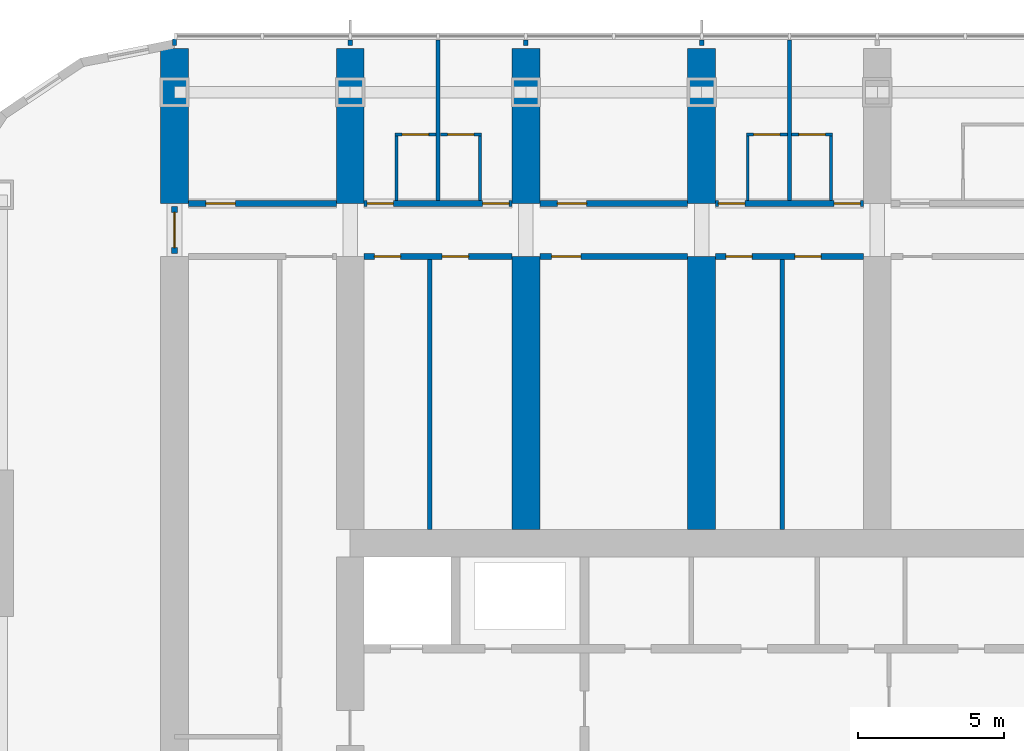
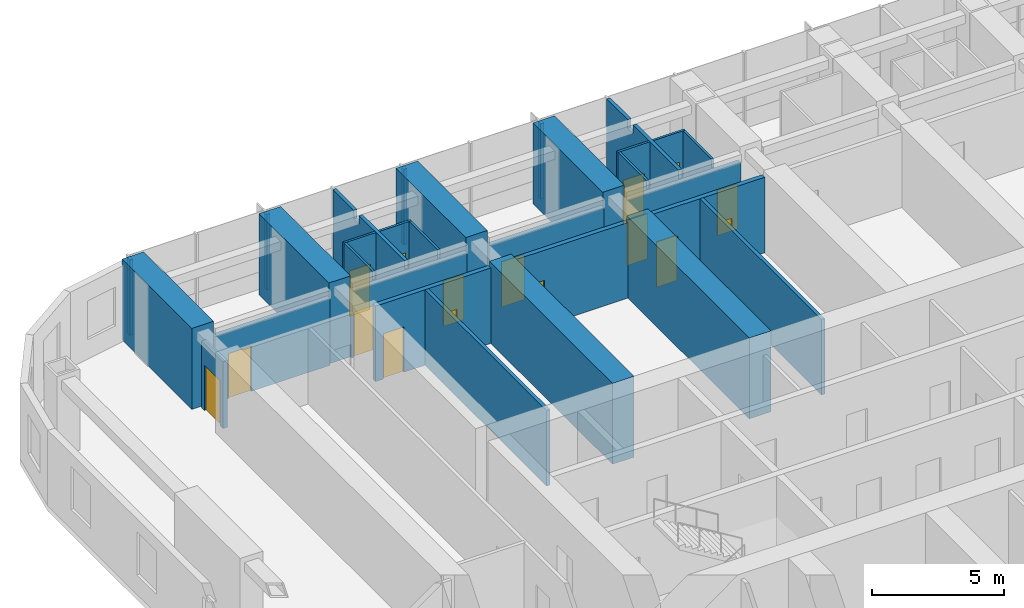
# One storey, part 13 of 21: 30 walls, 16 doors, 16 openings.
"""IFC4 building model written with IfcOpenShell, lengths in metres."""

from ifc_helpers import new_model, si_unit, direction, frame, frame_2d, origin, place, context, subcontext, project, spatial, polyline, rectangle, outline, extrude, material, layer, layer_set, type_object, element, fill, save


model = new_model("IFC4")

# Units and contexts
model_context = context("Model", 3, precision=1e-05, world=origin(), true_north=direction((0.0, 1.0)))
body_context = subcontext(model_context, "Body", "Model", "MODEL_VIEW")
ifc_project = project(units=[si_unit("LENGTHUNIT", "METRE"), si_unit("AREAUNIT", "SQUARE_METRE"), si_unit("VOLUMEUNIT", "CUBIC_METRE"), si_unit("PLANEANGLEUNIT", "RADIAN"), si_unit("MASSUNIT", "GRAM", prefix="KILO")], contexts=[model_context])

# Site, building, storey
site_placement = place(None, origin())
site = spatial("IfcSite", under=ifc_project, at=site_placement, CompositionType="ELEMENT")
building_placement = place(site_placement, origin())
building = spatial("IfcBuilding", under=site, at=building_placement, Name="Orbita Commons", CompositionType="ELEMENT")
storey_placement = place(building_placement, frame((0.0, 0.0, 91.89990234375)))
storey = spatial("IfcBuildingStorey", under=building, at=storey_placement, Name="L22", CompositionType="ELEMENT", Elevation=91.89990234375)

# Wall, opening, door
ifc_material_1 = material(Name="Concrete blockwork", Category="masonry")
ifc_layer_1 = layer(ifc_material_1, 0.199951171875)
ifc_layer_set_1 = layer_set([ifc_layer_1], Name="Concrete blockwork")
wall_type_1 = type_object("IfcWallType", Name="Corridor wall 200 blockwork", PredefinedType="SOLIDWALL", material=ifc_layer_set_1)
wall_1_placement = place(storey_placement, frame((12.47509765625, 49.800048828125, 0.0), z_axis=(0.0, 0.0, 1.0), x_axis=(1.0, 0.0, 0.0)))
wall_1 = element("IfcWall", 1, at=wall_1_placement, inside=storey, type_object=wall_type_1, Name="Corridor wall 200 blockwork L22", PredefinedType="SOLIDWALL", context=body_context, shape_type="SweptSolid", body=[
    extrude(outline(polyline([(0.0, 0.0), (5.0498046875, 0.0), (5.050048828125, 3.10009765625), (0.0, 3.10009765625), (0.0, 0.0)])), frame((0.0, 0.10009765625, 0.0), z_axis=(0.0, -1.0, 0.0), x_axis=(1.0, 0.0, 0.0)), (0.0, 0.0, 1.0), 0.199951171875),
])
opening_1_placement = place(wall_1_placement, frame((0.60009765625, 0.0, 0.0)))
opening_1 = element("IfcOpeningElement", 2, at=opening_1_placement, cuts=wall_1, Name="Opening D06", PredefinedType="OPENING", context=body_context, shape_type="SweptSolid", body=[
    extrude(rectangle(XDim=1.0, YDim=2.10009765625, at=frame_2d((0.5, 1.050048828125))), frame((0.0, 0.10986328125, 0.0), z_axis=(0.0, -1.0, 0.0), x_axis=(1.0, 0.0, 0.0)), (0.0, 0.0, 1.0), 0.219970703125),
])
ifc_material_2 = material(Name="Steel-faced fire door leaf", Category="steel")
door_type_1 = type_object("IfcDoorType", Name="Corridor door 20 min 1000x2100", OperationType="SINGLE_SWING_LEFT", PredefinedType="DOOR", material=ifc_material_2)
door_1_placement = place(opening_1_placement, origin())
door_1 = element("IfcDoor", 3, at=door_1_placement, inside=storey, type_object=door_type_1, Name="Sea-view lounge L22-N00 door", OperationType="SINGLE_SWING_LEFT", OverallHeight=2.10009765625, OverallWidth=1.0, PredefinedType="DOOR", context=body_context, shape_type="SweptSolid", body=[
    extrude(rectangle(XDim=1.0, YDim=2.10009765625, at=frame_2d((0.5, 1.050048828125))), frame((0.0, 0.02490234375, 0.0), z_axis=(0.0, -1.0, 0.0), x_axis=(1.0, 0.0, 0.0)), (0.0, 0.0, 1.0), 0.050048828125),
])
fill(opening_1, door_1)

# Wall, openings, doors
wall_2_placement = place(storey_placement, frame((18.47509765625, 49.800048828125, 0.0), z_axis=(0.0, 0.0, 1.0), x_axis=(1.0, 0.0, 0.0)))
wall_2 = element("IfcWall", 4, at=wall_2_placement, inside=storey, type_object=wall_type_1, Name="Corridor wall 200 blockwork L22", PredefinedType="SOLIDWALL", context=body_context, shape_type="SweptSolid", body=[
    extrude(outline(polyline([(0.0, 0.0), (5.0498046875, 0.0), (5.050048828125, 3.10009765625), (0.0, 3.10009765625), (0.0, 0.0)])), frame((0.0, 0.10009765625, 0.0), z_axis=(0.0, -1.0, 0.0), x_axis=(1.0, 0.0, 0.0)), (0.0, 0.0, 1.0), 0.199951171875),
])
opening_2_placement = place(wall_2_placement, frame((0.10009765625, 0.0, 0.0)))
opening_2 = element("IfcOpeningElement", 5, at=opening_2_placement, cuts=wall_2, Name="Opening D11", PredefinedType="OPENING", context=body_context, shape_type="SweptSolid", body=[
    extrude(rectangle(XDim=0.89990234375, YDim=2.10009765625, at=frame_2d((0.449951171875, 1.050048828125))), frame((0.0, 0.10986328125, 0.0), z_axis=(0.0, -1.0, 0.0), x_axis=(1.0, 0.0, 0.0)), (0.0, 0.0, 1.0), 0.219970703125),
])
opening_3_placement = place(wall_2_placement, frame((4.050048828125, 0.0, 0.0)))
opening_3 = element("IfcOpeningElement", 6, at=opening_3_placement, cuts=wall_2, Name="Opening D11", PredefinedType="OPENING", context=body_context, shape_type="SweptSolid", body=[
    extrude(rectangle(XDim=0.89990234375, YDim=2.10009765625, at=frame_2d((0.449951171875, 1.050048828125))), frame((0.0, 0.10986328125, 0.0), z_axis=(0.0, -1.0, 0.0), x_axis=(1.0, 0.0, 0.0)), (0.0, 0.0, 1.0), 0.219970703125),
])
ifc_material_3 = material(Name="Steel-faced fire door leaf", Category="steel")
door_type_2 = type_object("IfcDoorType", Name="Corridor door 20 min 900x2100", OperationType="SINGLE_SWING_LEFT", PredefinedType="DOOR", material=ifc_material_3)
door_2_placement = place(opening_2_placement, origin())
door_2 = element("IfcDoor", 7, at=door_2_placement, inside=storey, type_object=door_type_2, Name="Cluster bedroom L22-N02 door", OperationType="SINGLE_SWING_LEFT", OverallHeight=2.10009765625, OverallWidth=0.89990234375, PredefinedType="DOOR", context=body_context, shape_type="SweptSolid", body=[
    extrude(rectangle(XDim=0.89990234375, YDim=2.10009765625, at=frame_2d((0.449951171875, 1.050048828125))), frame((0.0, 0.02490234375, 0.0), z_axis=(0.0, -1.0, 0.0), x_axis=(1.0, 0.0, 0.0)), (0.0, 0.0, 1.0), 0.050048828125),
])
fill(opening_2, door_2)
door_3_placement = place(opening_3_placement, origin())
door_3 = element("IfcDoor", 8, at=door_3_placement, inside=storey, type_object=door_type_2, Name="Cluster bedroom L22-N03 door", OperationType="SINGLE_SWING_LEFT", OverallHeight=2.10009765625, OverallWidth=0.89990234375, PredefinedType="DOOR", context=body_context, shape_type="SweptSolid", body=[
    extrude(rectangle(XDim=0.89990234375, YDim=2.10009765625, at=frame_2d((0.449951171875, 1.050048828125))), frame((0.0, 0.02490234375, 0.0), z_axis=(0.0, -1.0, 0.0), x_axis=(1.0, 0.0, 0.0)), (0.0, 0.0, 1.0), 0.050048828125),
])
fill(opening_3, door_3)

# Wall, opening, door
wall_3_placement = place(storey_placement, frame((24.47509765625, 49.800048828125, 0.0), z_axis=(0.0, 0.0, 1.0), x_axis=(1.0, 0.0, 0.0)))
wall_3 = element("IfcWall", 9, at=wall_3_placement, inside=storey, type_object=wall_type_1, Name="Corridor wall 200 blockwork L22", PredefinedType="SOLIDWALL", context=body_context, shape_type="SweptSolid", body=[
    extrude(outline(polyline([(0.0, 0.0), (5.0498046875, 0.0), (5.050048828125, 3.10009765625), (0.0, 3.10009765625), (0.0, 0.0)])), frame((0.0, 0.10009765625, 0.0), z_axis=(0.0, -1.0, 0.0), x_axis=(1.0, 0.0, 0.0)), (0.0, 0.0, 1.0), 0.199951171875),
])
opening_4_placement = place(wall_3_placement, frame((0.60009765625, 0.0, 0.0)))
opening_4 = element("IfcOpeningElement", 10, at=opening_4_placement, cuts=wall_3, Name="Opening D06", PredefinedType="OPENING", context=body_context, shape_type="SweptSolid", body=[
    extrude(rectangle(XDim=1.0, YDim=2.10009765625, at=frame_2d((0.5, 1.050048828125))), frame((0.0, 0.10986328125, 0.0), z_axis=(0.0, -1.0, 0.0), x_axis=(1.0, 0.0, 0.0)), (0.0, 0.0, 1.0), 0.219970703125),
])
door_4_placement = place(opening_4_placement, origin())
door_4 = element("IfcDoor", 11, at=door_4_placement, inside=storey, type_object=door_type_1, Name="Sea-view lounge L22-N04 door", OperationType="SINGLE_SWING_LEFT", OverallHeight=2.10009765625, OverallWidth=1.0, PredefinedType="DOOR", context=body_context, shape_type="SweptSolid", body=[
    extrude(rectangle(XDim=1.0, YDim=2.10009765625, at=frame_2d((0.5, 1.050048828125))), frame((0.0, 0.02490234375, 0.0), z_axis=(0.0, -1.0, 0.0), x_axis=(1.0, 0.0, 0.0)), (0.0, 0.0, 1.0), 0.050048828125),
])
fill(opening_4, door_4)

# Wall, openings, doors
wall_4_placement = place(storey_placement, frame((30.47509765625, 49.800048828125, 0.0), z_axis=(0.0, 0.0, 1.0), x_axis=(1.0, 0.0, 0.0)))
wall_4 = element("IfcWall", 12, at=wall_4_placement, inside=storey, type_object=wall_type_1, Name="Corridor wall 200 blockwork L22", PredefinedType="SOLIDWALL", context=body_context, shape_type="SweptSolid", body=[
    extrude(outline(polyline([(0.0, 0.0), (5.0498046875, 0.0), (5.050048828125, 3.10009765625), (0.0, 3.10009765625), (0.0, 0.0)])), frame((0.0, 0.10009765625, 0.0), z_axis=(0.0, -1.0, 0.0), x_axis=(1.0, 0.0, 0.0)), (0.0, 0.0, 1.0), 0.199951171875),
])
opening_5_placement = place(wall_4_placement, frame((0.10009765625, 0.0, 0.0)))
opening_5 = element("IfcOpeningElement", 13, at=opening_5_placement, cuts=wall_4, Name="Opening D11", PredefinedType="OPENING", context=body_context, shape_type="SweptSolid", body=[
    extrude(rectangle(XDim=0.89990234375, YDim=2.10009765625, at=frame_2d((0.449951171875, 1.050048828125))), frame((0.0, 0.10986328125, 0.0), z_axis=(0.0, -1.0, 0.0), x_axis=(1.0, 0.0, 0.0)), (0.0, 0.0, 1.0), 0.219970703125),
])
opening_6_placement = place(wall_4_placement, frame((4.050048828125, 0.0, 0.0)))
opening_6 = element("IfcOpeningElement", 14, at=opening_6_placement, cuts=wall_4, Name="Opening D11", PredefinedType="OPENING", context=body_context, shape_type="SweptSolid", body=[
    extrude(rectangle(XDim=0.89990234375, YDim=2.10009765625, at=frame_2d((0.449951171875, 1.050048828125))), frame((0.0, 0.10986328125, 0.0), z_axis=(0.0, -1.0, 0.0), x_axis=(1.0, 0.0, 0.0)), (0.0, 0.0, 1.0), 0.219970703125),
])
door_5_placement = place(opening_5_placement, origin())
door_5 = element("IfcDoor", 15, at=door_5_placement, inside=storey, type_object=door_type_2, Name="Cluster bedroom L22-N06 door", OperationType="SINGLE_SWING_LEFT", OverallHeight=2.10009765625, OverallWidth=0.89990234375, PredefinedType="DOOR", context=body_context, shape_type="SweptSolid", body=[
    extrude(rectangle(XDim=0.89990234375, YDim=2.10009765625, at=frame_2d((0.449951171875, 1.050048828125))), frame((0.0, 0.02490234375, 0.0), z_axis=(0.0, -1.0, 0.0), x_axis=(1.0, 0.0, 0.0)), (0.0, 0.0, 1.0), 0.050048828125),
])
fill(opening_5, door_5)
door_6_placement = place(opening_6_placement, origin())
door_6 = element("IfcDoor", 16, at=door_6_placement, inside=storey, type_object=door_type_2, Name="Cluster bedroom L22-N07 door", OperationType="SINGLE_SWING_LEFT", OverallHeight=2.10009765625, OverallWidth=0.89990234375, PredefinedType="DOOR", context=body_context, shape_type="SweptSolid", body=[
    extrude(rectangle(XDim=0.89990234375, YDim=2.10009765625, at=frame_2d((0.449951171875, 1.050048828125))), frame((0.0, 0.02490234375, 0.0), z_axis=(0.0, -1.0, 0.0), x_axis=(1.0, 0.0, 0.0)), (0.0, 0.0, 1.0), 0.050048828125),
])
fill(opening_6, door_6)

# Wall, opening, door
wall_5_placement = place(storey_placement, frame((12.0, 48.10009765625, 0.0), z_axis=(0.0, 0.0, 1.0), x_axis=(0.0, 1.0, 0.0)))
wall_5 = element("IfcWall", 17, at=wall_5_placement, inside=storey, type_object=wall_type_1, Name="Corridor wall 200 blockwork L22", PredefinedType="SOLIDWALL", context=body_context, shape_type="SweptSolid", body=[
    extrude(outline(polyline([(0.0, 0.0), (1.599853515625, 0.0), (1.60009765625, 3.10009765625), (0.0, 3.10009765625), (0.0, 0.0)])), frame((0.0, 0.10009765625, 0.0), z_axis=(0.0, -1.0, 0.0), x_axis=(1.0, 0.0, 0.0)), (0.0, 0.0, 1.0), 0.199951171875),
])
opening_7_placement = place(wall_5_placement, frame((0.199951171875, 0.0, 0.0)))
opening_7 = element("IfcOpeningElement", 18, at=opening_7_placement, cuts=wall_5, Name="Opening D12", PredefinedType="OPENING", context=body_context, shape_type="SweptSolid", body=[
    extrude(rectangle(XDim=1.199951171875, YDim=2.10009765625, at=frame_2d((0.60009765625, 1.050048828125))), frame((0.0, 0.10986328125, 0.0), z_axis=(0.0, -1.0, 0.0), x_axis=(1.0, 0.0, 0.0)), (0.0, 0.0, 1.0), 0.219970703125),
])
ifc_material_4 = material(Name="Steel-faced fire door leaf", Category="steel")
door_type_3 = type_object("IfcDoorType", Name="Double corridor door 20 min 1200x2100", OperationType="DOUBLE_DOOR_SINGLE_SWING", PredefinedType="DOOR", material=ifc_material_4)
door_7_placement = place(opening_7_placement, origin())
door_7 = element("IfcDoor", 19, at=door_7_placement, inside=storey, type_object=door_type_3, Name="Lounge doors", OperationType="DOUBLE_DOOR_SINGLE_SWING", OverallHeight=2.10009765625, OverallWidth=1.199951171875, PredefinedType="DOOR", context=body_context, shape_type="SweptSolid", body=[
    extrude(rectangle(XDim=1.199951171875, YDim=2.10009765625, at=frame_2d((0.60009765625, 1.050048828125))), frame((0.0, 0.02490234375, 0.0), z_axis=(0.0, -1.0, 0.0), x_axis=(1.0, 0.0, 0.0)), (0.0, 0.0, 1.0), 0.050048828125),
])
fill(opening_7, door_7)

# Wall, openings, doors
ifc_material_5 = material(Name="Hollow concrete block 200", Category="concrete")
ifc_layer_2 = layer(ifc_material_5, 0.199951171875)
ifc_layer_set_2 = layer_set([ifc_layer_2], Name="Hollow concrete block 200")
wall_type_2 = type_object("IfcWallType", Name="Corridor wall 200 hollow concrete block", PredefinedType="SOLIDWALL", material=ifc_layer_set_2)
wall_6_placement = place(storey_placement, frame((18.47509765625, 48.0, 0.0), z_axis=(0.0, 0.0, 1.0), x_axis=(1.0, 0.0, 0.0)))
wall_6 = element("IfcWall", 20, at=wall_6_placement, inside=storey, type_object=wall_type_2, Name="Corridor wall 200 hollow concrete block L22", PredefinedType="SOLIDWALL", context=body_context, shape_type="SweptSolid", body=[
    extrude(rectangle(XDim=5.0498046875, YDim=0.199951171875, at=frame_2d((2.52490234375, 0.0))), origin(), (0.0, 0.0, 1.0), 3.5),
])
opening_8_placement = place(wall_6_placement, frame((0.35009765625, 0.0, 0.0)))
opening_8 = element("IfcOpeningElement", 21, at=opening_8_placement, cuts=wall_6, Name="Opening D11", PredefinedType="OPENING", context=body_context, shape_type="SweptSolid", body=[
    extrude(rectangle(XDim=0.89990234375, YDim=2.10009765625, at=frame_2d((0.449951171875, 1.050048828125))), frame((0.0, 0.10986328125, 0.0), z_axis=(0.0, -1.0, 0.0), x_axis=(1.0, 0.0, 0.0)), (0.0, 0.0, 1.0), 0.219970703125),
])
opening_9_placement = place(wall_6_placement, frame((2.6650390625, 0.0, 0.0)))
opening_9 = element("IfcOpeningElement", 22, at=opening_9_placement, cuts=wall_6, Name="Opening D11", PredefinedType="OPENING", context=body_context, shape_type="SweptSolid", body=[
    extrude(rectangle(XDim=0.89990234375, YDim=2.10009765625, at=frame_2d((0.449951171875, 1.050048828125))), frame((0.0, 0.10986328125, 0.0), z_axis=(0.0, -1.0, 0.0), x_axis=(1.0, 0.0, 0.0)), (0.0, 0.0, 1.0), 0.219970703125),
])
door_8_placement = place(opening_8_placement, origin())
door_8 = element("IfcDoor", 23, at=door_8_placement, inside=storey, type_object=door_type_2, Name="Riser access cupboard L22-BDN18n door", OperationType="SINGLE_SWING_LEFT", OverallHeight=2.10009765625, OverallWidth=0.89990234375, PredefinedType="DOOR", context=body_context, shape_type="SweptSolid", body=[
    extrude(rectangle(XDim=0.89990234375, YDim=2.10009765625, at=frame_2d((0.449951171875, 1.050048828125))), frame((0.0, 0.02490234375, 0.0), z_axis=(0.0, -1.0, 0.0), x_axis=(1.0, 0.0, 0.0)), (0.0, 0.0, 1.0), 0.050048828125),
])
fill(opening_8, door_8)
door_9_placement = place(opening_9_placement, origin())
door_9 = element("IfcDoor", 24, at=door_9_placement, inside=storey, type_object=door_type_2, Name="Linen store L22-BDN18 door", OperationType="SINGLE_SWING_LEFT", OverallHeight=2.10009765625, OverallWidth=0.89990234375, PredefinedType="DOOR", context=body_context, shape_type="SweptSolid", body=[
    extrude(rectangle(XDim=0.89990234375, YDim=2.10009765625, at=frame_2d((0.449951171875, 1.050048828125))), frame((0.0, 0.02490234375, 0.0), z_axis=(0.0, -1.0, 0.0), x_axis=(1.0, 0.0, 0.0)), (0.0, 0.0, 1.0), 0.050048828125),
])
fill(opening_9, door_9)

# Wall, opening, door
wall_7_placement = place(storey_placement, frame((24.47509765625, 48.0, 0.0), z_axis=(0.0, 0.0, 1.0), x_axis=(1.0, 0.0, 0.0)))
wall_7 = element("IfcWall", 25, at=wall_7_placement, inside=storey, type_object=wall_type_2, Name="Corridor wall 200 hollow concrete block L22", PredefinedType="SOLIDWALL", context=body_context, shape_type="SweptSolid", body=[
    extrude(rectangle(XDim=5.0498046875, YDim=0.199951171875, at=frame_2d((2.52490234375, 0.0))), origin(), (0.0, 0.0, 1.0), 3.5),
])
opening_10_placement = place(wall_7_placement, frame((0.39990234375, 0.0, 0.0)))
opening_10 = element("IfcOpeningElement", 26, at=opening_10_placement, cuts=wall_7, Name="Opening D06", PredefinedType="OPENING", context=body_context, shape_type="SweptSolid", body=[
    extrude(rectangle(XDim=1.0, YDim=2.10009765625, at=frame_2d((0.5, 1.050048828125))), frame((0.0, 0.10986328125, 0.0), z_axis=(0.0, -1.0, 0.0), x_axis=(1.0, 0.0, 0.0)), (0.0, 0.0, 1.0), 0.219970703125),
])
door_10_placement = place(opening_10_placement, origin())
door_10 = element("IfcDoor", 27, at=door_10_placement, inside=storey, type_object=door_type_1, Name="Cluster pantry L22-BDN24 door", OperationType="SINGLE_SWING_LEFT", OverallHeight=2.10009765625, OverallWidth=1.0, PredefinedType="DOOR", context=body_context, shape_type="SweptSolid", body=[
    extrude(rectangle(XDim=1.0, YDim=2.10009765625, at=frame_2d((0.5, 1.050048828125))), frame((0.0, 0.02490234375, 0.0), z_axis=(0.0, -1.0, 0.0), x_axis=(1.0, 0.0, 0.0)), (0.0, 0.0, 1.0), 0.050048828125),
])
fill(opening_10, door_10)

# Wall, openings, doors
wall_8_placement = place(storey_placement, frame((30.47509765625, 48.0, 0.0), z_axis=(0.0, 0.0, 1.0), x_axis=(1.0, 0.0, 0.0)))
wall_8 = element("IfcWall", 28, at=wall_8_placement, inside=storey, type_object=wall_type_2, Name="Corridor wall 200 hollow concrete block L22", PredefinedType="SOLIDWALL", context=body_context, shape_type="SweptSolid", body=[
    extrude(rectangle(XDim=5.0498046875, YDim=0.199951171875, at=frame_2d((2.52490234375, 0.0))), origin(), (0.0, 0.0, 1.0), 3.5),
])
opening_11_placement = place(wall_8_placement, frame((0.35009765625, 0.0, 0.0)))
opening_11 = element("IfcOpeningElement", 29, at=opening_11_placement, cuts=wall_8, Name="Opening D11", PredefinedType="OPENING", context=body_context, shape_type="SweptSolid", body=[
    extrude(rectangle(XDim=0.89990234375, YDim=2.10009765625, at=frame_2d((0.449951171875, 1.050048828125))), frame((0.0, 0.10986328125, 0.0), z_axis=(0.0, -1.0, 0.0), x_axis=(1.0, 0.0, 0.0)), (0.0, 0.0, 1.0), 0.219970703125),
])
opening_12_placement = place(wall_8_placement, frame((2.705078125, 0.0, 0.0)))
opening_12 = element("IfcOpeningElement", 30, at=opening_12_placement, cuts=wall_8, Name="Opening D11", PredefinedType="OPENING", context=body_context, shape_type="SweptSolid", body=[
    extrude(rectangle(XDim=0.89990234375, YDim=2.10009765625, at=frame_2d((0.449951171875, 1.050048828125))), frame((0.0, 0.10986328125, 0.0), z_axis=(0.0, -1.0, 0.0), x_axis=(1.0, 0.0, 0.0)), (0.0, 0.0, 1.0), 0.219970703125),
])
door_11_placement = place(opening_11_placement, origin())
door_11 = element("IfcDoor", 31, at=door_11_placement, inside=storey, type_object=door_type_2, Name="Water heater cupboard L22-BDN30n door", OperationType="SINGLE_SWING_LEFT", OverallHeight=2.10009765625, OverallWidth=0.89990234375, PredefinedType="DOOR", context=body_context, shape_type="SweptSolid", body=[
    extrude(rectangle(XDim=0.89990234375, YDim=2.10009765625, at=frame_2d((0.449951171875, 1.050048828125))), frame((0.0, 0.02490234375, 0.0), z_axis=(0.0, -1.0, 0.0), x_axis=(1.0, 0.0, 0.0)), (0.0, 0.0, 1.0), 0.050048828125),
])
fill(opening_11, door_11)
door_12_placement = place(opening_12_placement, origin())
door_12 = element("IfcDoor", 32, at=door_12_placement, inside=storey, type_object=door_type_2, Name="Bulk and luggage store L22-BDN30 door", OperationType="SINGLE_SWING_LEFT", OverallHeight=2.10009765625, OverallWidth=0.89990234375, PredefinedType="DOOR", context=body_context, shape_type="SweptSolid", body=[
    extrude(rectangle(XDim=0.89990234375, YDim=2.10009765625, at=frame_2d((0.449951171875, 1.050048828125))), frame((0.0, 0.02490234375, 0.0), z_axis=(0.0, -1.0, 0.0), x_axis=(1.0, 0.0, 0.0)), (0.0, 0.0, 1.0), 0.050048828125),
])
fill(opening_12, door_12)

# Walls
ifc_material_6 = material(Name="Concrete C50/60", Category="concrete")
ifc_layer_3 = layer(ifc_material_6, 0.949951171875)
ifc_layer_set_3 = layer_set([ifc_layer_3], Name="Concrete C50/60")
wall_type_3 = type_object("IfcWallType", Name="Cross wall 950 C50/60", PredefinedType="SHEAR", material=ifc_layer_set_3)
for number, where, z_axis, x_axis, name in (
    (33, (12.0, 49.800048828125, 0.0), (0.0, 0.0, 1.0), (0.0, 1.0, 0.0), "Cross wall 3 north outer L22"),
    (34, (18.0, 49.800048828125, 0.0), (0.0, 0.0, 1.0), (0.0, 1.0, 0.0), "Cross wall 4 north outer L22"),
    (35, (24.0, 49.800048828125, 0.0), (0.0, 0.0, 1.0), (0.0, 1.0, 0.0), "Cross wall 5 north outer L22"),
):
    element("IfcWall", number, at=place(storey_placement, frame(where, z_axis=z_axis, x_axis=x_axis)), inside=storey, type_object=wall_type_3, Name=name, PredefinedType="SHEAR", context=body_context, shape_type="SweptSolid", body=[
        extrude(rectangle(XDim=5.300048828125, YDim=0.949951171875, at=frame_2d((2.64990234375, 0.0))), origin(), (0.0, 0.0, 1.0), 3.75),
    ])
wall_9_placement = place(storey_placement, frame((24.0, 38.675048828125, 0.0), z_axis=(0.0, 0.0, 1.0), x_axis=(0.0, 1.0, 0.0)))
element("IfcWall", 36, at=wall_9_placement, inside=storey, type_object=wall_type_3, Name="Cross wall 5 north inner L22", PredefinedType="SHEAR", context=body_context, shape_type="SweptSolid", body=[
    extrude(rectangle(XDim=9.324951171875, YDim=0.949951171875, at=frame_2d((4.66259765625, 0.0))), origin(), (0.0, 0.0, 1.0), 3.75),
])
wall_10_placement = place(storey_placement, frame((30.0, 49.800048828125, 0.0), z_axis=(0.0, 0.0, 1.0), x_axis=(0.0, 1.0, 0.0)))
element("IfcWall", 37, at=wall_10_placement, inside=storey, type_object=wall_type_3, Name="Cross wall 6 north outer L22", PredefinedType="SHEAR", context=body_context, shape_type="SweptSolid", body=[
    extrude(rectangle(XDim=5.300048828125, YDim=0.949951171875, at=frame_2d((2.64990234375, 0.0))), origin(), (0.0, 0.0, 1.0), 3.75),
])
wall_11_placement = place(storey_placement, frame((30.0, 38.675048828125, 0.0), z_axis=(0.0, 0.0, 1.0), x_axis=(0.0, 1.0, 0.0)))
element("IfcWall", 38, at=wall_11_placement, inside=storey, type_object=wall_type_3, Name="Cross wall 6 north inner L22", PredefinedType="SHEAR", context=body_context, shape_type="SweptSolid", body=[
    extrude(rectangle(XDim=9.324951171875, YDim=0.949951171875, at=frame_2d((4.66259765625, 0.0))), origin(), (0.0, 0.0, 1.0), 3.75),
])

# Wall, opening, door
ifc_material_7 = material(Name="Moisture-resistant plasterboard on steel studs", Category="steel")
ifc_layer_4 = layer(ifc_material_7, 0.10009765625)
ifc_layer_set_4 = layer_set([ifc_layer_4], Name="Moisture-resistant plasterboard on steel studs")
wall_type_4 = type_object("IfcWallType", Name="En-suite partition 100", PredefinedType="PARTITIONING", material=ifc_layer_set_4)
wall_12_placement = place(storey_placement, frame((19.52490234375, 52.1591796875, 0.0), z_axis=(0.0, 0.0, 1.0), x_axis=(1.0, 0.0, 0.0)))
wall_12 = element("IfcWall", 39, at=wall_12_placement, inside=storey, type_object=wall_type_4, Name="En-suite partition 100 L22", PredefinedType="PARTITIONING", context=body_context, shape_type="SweptSolid", body=[
    extrude(rectangle(XDim=1.400146484375, YDim=0.10009765625, at=frame_2d((0.7001953125, 0.0))), origin(), (0.0, 0.0, 1.0), 3.5),
])
opening_13_placement = place(wall_12_placement, frame((0.25, 0.0, 0.0)))
opening_13 = element("IfcOpeningElement", 40, at=opening_13_placement, cuts=wall_12, Name="Opening D09", PredefinedType="OPENING", context=body_context, shape_type="SweptSolid", body=[
    extrude(rectangle(XDim=0.89990234375, YDim=2.10009765625, at=frame_2d((0.449951171875, 1.050048828125))), frame((0.0, 0.06005859375, 0.0), z_axis=(0.0, -1.0, 0.0), x_axis=(1.0, 0.0, 0.0)), (0.0, 0.0, 1.0), 0.1201171875),
])
ifc_material_8 = material(Name="Laminated timber door leaf", Category="wood")
door_type_4 = type_object("IfcDoorType", Name="En-suite door 900x2100", OperationType="SINGLE_SWING_RIGHT", PredefinedType="DOOR", material=ifc_material_8)
door_13_placement = place(opening_13_placement, origin())
door_13 = element("IfcDoor", 41, at=door_13_placement, inside=storey, type_object=door_type_4, Name="En-suite L22-N02 door", OperationType="SINGLE_SWING_RIGHT", OverallHeight=2.10009765625, OverallWidth=0.89990234375, PredefinedType="DOOR", context=body_context, shape_type="SweptSolid", body=[
    extrude(rectangle(XDim=0.89990234375, YDim=2.10009765625, at=frame_2d((0.449951171875, 1.050048828125))), frame((0.0, 0.02490234375, 0.0), z_axis=(0.0, -1.0, 0.0), x_axis=(1.0, 0.0, 0.0)), (0.0, 0.0, 1.0), 0.050048828125),
])
fill(opening_13, door_13)

# Wall
wall_13_placement = place(storey_placement, frame((19.574951171875, 52.109375, 0.0), z_axis=(0.0, 0.0, 1.0), x_axis=(0.0, -1.0, 0.0)))
element("IfcWall", 42, at=wall_13_placement, inside=storey, type_object=wall_type_4, Name="En-suite partition 100 L22", PredefinedType="PARTITIONING", context=body_context, shape_type="SweptSolid", body=[
    extrude(outline(polyline([(0.0, 0.0), (2.20947265625, 0.0), (2.209228515625, 3.10009765625), (2.161376953125, 3.10009765625), (2.1591796875, 3.5), (0.0, 3.5), (0.0, 0.0)])), frame((0.0, 0.050048828125, 0.0), z_axis=(0.0, -1.0, 0.0), x_axis=(1.0, 0.0, 0.0)), (0.0, 0.0, 1.0), 0.10009765625),
])

# Wall, opening, door
wall_14_placement = place(storey_placement, frame((21.074951171875, 52.1591796875, 0.0), z_axis=(0.0, 0.0, 1.0), x_axis=(1.0, 0.0, 0.0)))
wall_14 = element("IfcWall", 43, at=wall_14_placement, inside=storey, type_object=wall_type_4, Name="En-suite partition 100 L22", PredefinedType="PARTITIONING", context=body_context, shape_type="SweptSolid", body=[
    extrude(rectangle(XDim=1.400146484375, YDim=0.10009765625, at=frame_2d((0.7001953125, 0.0))), origin(), (0.0, 0.0, 1.0), 3.5),
])
opening_14_placement = place(wall_14_placement, frame((0.25, 0.0, 0.0)))
opening_14 = element("IfcOpeningElement", 44, at=opening_14_placement, cuts=wall_14, Name="Opening D09", PredefinedType="OPENING", context=body_context, shape_type="SweptSolid", body=[
    extrude(rectangle(XDim=0.89990234375, YDim=2.10009765625, at=frame_2d((0.449951171875, 1.050048828125))), frame((0.0, 0.06005859375, 0.0), z_axis=(0.0, -1.0, 0.0), x_axis=(1.0, 0.0, 0.0)), (0.0, 0.0, 1.0), 0.1201171875),
])
door_14_placement = place(opening_14_placement, origin())
door_14 = element("IfcDoor", 45, at=door_14_placement, inside=storey, type_object=door_type_4, Name="En-suite L22-N03 door", OperationType="SINGLE_SWING_RIGHT", OverallHeight=2.10009765625, OverallWidth=0.89990234375, PredefinedType="DOOR", context=body_context, shape_type="SweptSolid", body=[
    extrude(rectangle(XDim=0.89990234375, YDim=2.10009765625, at=frame_2d((0.449951171875, 1.050048828125))), frame((0.0, 0.02490234375, 0.0), z_axis=(0.0, -1.0, 0.0), x_axis=(1.0, 0.0, 0.0)), (0.0, 0.0, 1.0), 0.050048828125),
])
fill(opening_14, door_14)

# Wall
wall_15_placement = place(storey_placement, frame((22.425048828125, 52.109375, 0.0), z_axis=(0.0, 0.0, 1.0), x_axis=(0.0, -1.0, 0.0)))
element("IfcWall", 46, at=wall_15_placement, inside=storey, type_object=wall_type_4, Name="En-suite partition 100 L22", PredefinedType="PARTITIONING", context=body_context, shape_type="SweptSolid", body=[
    extrude(outline(polyline([(0.0, 0.0), (2.20947265625, 0.0), (2.209228515625, 3.10009765625), (2.161376953125, 3.10009765625), (2.1591796875, 3.5), (0.0, 3.5), (0.0, 0.0)])), frame((0.0, 0.050048828125, 0.0), z_axis=(0.0, -1.0, 0.0), x_axis=(1.0, 0.0, 0.0)), (0.0, 0.0, 1.0), 0.10009765625),
])

# Wall, opening, door
wall_16_placement = place(storey_placement, frame((31.52490234375, 52.1591796875, 0.0), z_axis=(0.0, 0.0, 1.0), x_axis=(1.0, 0.0, 0.0)))
wall_16 = element("IfcWall", 47, at=wall_16_placement, inside=storey, type_object=wall_type_4, Name="En-suite partition 100 L22", PredefinedType="PARTITIONING", context=body_context, shape_type="SweptSolid", body=[
    extrude(rectangle(XDim=1.400146484375, YDim=0.10009765625, at=frame_2d((0.7001953125, 0.0))), origin(), (0.0, 0.0, 1.0), 3.5),
])
opening_15_placement = place(wall_16_placement, frame((0.25, 0.0, 0.0)))
opening_15 = element("IfcOpeningElement", 48, at=opening_15_placement, cuts=wall_16, Name="Opening D09", PredefinedType="OPENING", context=body_context, shape_type="SweptSolid", body=[
    extrude(rectangle(XDim=0.89990234375, YDim=2.10009765625, at=frame_2d((0.449951171875, 1.050048828125))), frame((0.0, 0.06005859375, 0.0), z_axis=(0.0, -1.0, 0.0), x_axis=(1.0, 0.0, 0.0)), (0.0, 0.0, 1.0), 0.1201171875),
])
door_15_placement = place(opening_15_placement, origin())
door_15 = element("IfcDoor", 49, at=door_15_placement, inside=storey, type_object=door_type_4, Name="En-suite L22-N06 door", OperationType="SINGLE_SWING_RIGHT", OverallHeight=2.10009765625, OverallWidth=0.89990234375, PredefinedType="DOOR", context=body_context, shape_type="SweptSolid", body=[
    extrude(rectangle(XDim=0.89990234375, YDim=2.10009765625, at=frame_2d((0.449951171875, 1.050048828125))), frame((0.0, 0.02490234375, 0.0), z_axis=(0.0, -1.0, 0.0), x_axis=(1.0, 0.0, 0.0)), (0.0, 0.0, 1.0), 0.050048828125),
])
fill(opening_15, door_15)

# Wall
wall_17_placement = place(storey_placement, frame((31.574951171875, 52.109375, 0.0), z_axis=(0.0, 0.0, 1.0), x_axis=(0.0, -1.0, 0.0)))
element("IfcWall", 50, at=wall_17_placement, inside=storey, type_object=wall_type_4, Name="En-suite partition 100 L22", PredefinedType="PARTITIONING", context=body_context, shape_type="SweptSolid", body=[
    extrude(outline(polyline([(0.0, 0.0), (2.20947265625, 0.0), (2.209228515625, 3.10009765625), (2.161376953125, 3.10009765625), (2.1591796875, 3.5), (0.0, 3.5), (0.0, 0.0)])), frame((0.0, 0.050048828125, 0.0), z_axis=(0.0, -1.0, 0.0), x_axis=(1.0, 0.0, 0.0)), (0.0, 0.0, 1.0), 0.10009765625),
])

# Wall, opening, door
wall_18_placement = place(storey_placement, frame((33.074951171875, 52.1591796875, 0.0), z_axis=(0.0, 0.0, 1.0), x_axis=(1.0, 0.0, 0.0)))
wall_18 = element("IfcWall", 51, at=wall_18_placement, inside=storey, type_object=wall_type_4, Name="En-suite partition 100 L22", PredefinedType="PARTITIONING", context=body_context, shape_type="SweptSolid", body=[
    extrude(rectangle(XDim=1.400146484375, YDim=0.10009765625, at=frame_2d((0.7001953125, 0.0))), origin(), (0.0, 0.0, 1.0), 3.5),
])
opening_16_placement = place(wall_18_placement, frame((0.25, 0.0, 0.0)))
opening_16 = element("IfcOpeningElement", 52, at=opening_16_placement, cuts=wall_18, Name="Opening D09", PredefinedType="OPENING", context=body_context, shape_type="SweptSolid", body=[
    extrude(rectangle(XDim=0.89990234375, YDim=2.10009765625, at=frame_2d((0.449951171875, 1.050048828125))), frame((0.0, 0.06005859375, 0.0), z_axis=(0.0, -1.0, 0.0), x_axis=(1.0, 0.0, 0.0)), (0.0, 0.0, 1.0), 0.1201171875),
])
door_16_placement = place(opening_16_placement, origin())
door_16 = element("IfcDoor", 53, at=door_16_placement, inside=storey, type_object=door_type_4, Name="En-suite L22-N07 door", OperationType="SINGLE_SWING_RIGHT", OverallHeight=2.10009765625, OverallWidth=0.89990234375, PredefinedType="DOOR", context=body_context, shape_type="SweptSolid", body=[
    extrude(rectangle(XDim=0.89990234375, YDim=2.10009765625, at=frame_2d((0.449951171875, 1.050048828125))), frame((0.0, 0.02490234375, 0.0), z_axis=(0.0, -1.0, 0.0), x_axis=(1.0, 0.0, 0.0)), (0.0, 0.0, 1.0), 0.050048828125),
])
fill(opening_16, door_16)

# Walls
wall_19_placement = place(storey_placement, frame((34.425048828125, 52.109375, 0.0), z_axis=(0.0, 0.0, 1.0), x_axis=(0.0, -1.0, 0.0)))
element("IfcWall", 54, at=wall_19_placement, inside=storey, type_object=wall_type_4, Name="En-suite partition 100 L22", PredefinedType="PARTITIONING", context=body_context, shape_type="SweptSolid", body=[
    extrude(outline(polyline([(0.0, 0.0), (2.20947265625, 0.0), (2.209228515625, 3.10009765625), (2.161376953125, 3.10009765625), (2.1591796875, 3.5), (0.0, 3.5), (0.0, 0.0)])), frame((0.0, 0.050048828125, 0.0), z_axis=(0.0, -1.0, 0.0), x_axis=(1.0, 0.0, 0.0)), (0.0, 0.0, 1.0), 0.10009765625),
])
ifc_material_9 = material(Name="Gypsum plasterboard on steel studs", Category="steel")
ifc_layer_5 = layer(ifc_material_9, 0.14990234375)
ifc_layer_set_5 = layer_set([ifc_layer_5], Name="Gypsum plasterboard on steel studs")
wall_type_5 = type_object("IfcWallType", Name="Partition 150 plasterboard", PredefinedType="PARTITIONING", material=ifc_layer_set_5)
for number, where, z_axis, x_axis, name in (
    (55, (20.715087890625, 38.675048828125, 0.0), (0.0, 0.0, 1.0), (0.0, 1.0, 0.0), "Partition 150 plasterboard L22"),
    (56, (32.7548828125, 38.675048828125, 0.0), (0.0, 0.0, 1.0), (0.0, 1.0, 0.0), "Partition 150 plasterboard L22"),
):
    element("IfcWall", number, at=place(storey_placement, frame(where, z_axis=z_axis, x_axis=x_axis)), inside=storey, type_object=wall_type_5, Name=name, PredefinedType="PARTITIONING", context=body_context, shape_type="SweptSolid", body=[
        extrude(rectangle(XDim=9.224853515625, YDim=0.14990234375, at=frame_2d((4.6123046875, 0.0))), origin(), (0.0, 0.0, 1.0), 3.5),
    ])
wall_20_placement = place(storey_placement, frame((12.0, 55.199951171875, 0.0), z_axis=(0.0, 0.0, 1.0), x_axis=(0.0, 1.0, 0.0)))
element("IfcWall", 57, at=wall_20_placement, inside=storey, type_object=wall_type_5, Name="Partition 150 plasterboard L22", PredefinedType="PARTITIONING", context=body_context, shape_type="SweptSolid", body=[
    extrude(rectangle(XDim=0.219970703125, YDim=0.14990234375, at=frame_2d((0.10986328125, 0.0))), origin(), (0.0, 0.0, 1.0), 3.5),
])
for number, where, z_axis, x_axis, name in (
    (58, (18.0, 55.199951171875, 0.0), (0.0, 0.0, 1.0), (0.0, 1.0, 0.0), "Partition 150 plasterboard L22"),
    (59, (24.0, 55.199951171875, 0.0), (0.0, 0.0, 1.0), (0.0, 1.0, 0.0), "Partition 150 plasterboard L22"),
    (60, (30.0, 55.199951171875, 0.0), (0.0, 0.0, 1.0), (0.0, 1.0, 0.0), "Partition 150 plasterboard L22"),
):
    element("IfcWall", number, at=place(storey_placement, frame(where, z_axis=z_axis, x_axis=x_axis)), inside=storey, type_object=wall_type_5, Name=name, PredefinedType="PARTITIONING", context=body_context, shape_type="SweptSolid", body=[
        extrude(rectangle(XDim=0.18994140625, YDim=0.14990234375, at=frame_2d((0.094970703125, 0.0))), origin(), (0.0, 0.0, 1.0), 3.5),
    ])
ifc_material_10 = material(Name="Gypsum plasterboard on steel studs", Category="steel")
ifc_layer_6 = layer(ifc_material_10, 0.14990234375)
ifc_layer_set_6 = layer_set([ifc_layer_6], Name="Gypsum plasterboard on steel studs")
wall_type_6 = type_object("IfcWallType", Name="Party wall 150 plasterboard", PredefinedType="PARTITIONING", material=ifc_layer_set_6)
for number, where, z_axis, x_axis, name in (
    (61, (21.0, 55.389892578125, 0.0), (0.0, 0.0, 1.0), (0.0, -1.0, 0.0), "Party wall 150 plasterboard L22"),
    (62, (33.0, 55.389892578125, 0.0), (0.0, 0.0, 1.0), (0.0, -1.0, 0.0), "Party wall 150 plasterboard L22"),
):
    element("IfcWall", number, at=place(storey_placement, frame(where, z_axis=z_axis, x_axis=x_axis)), inside=storey, type_object=wall_type_6, Name=name, PredefinedType="PARTITIONING", context=body_context, shape_type="SweptSolid", body=[
        extrude(outline(polyline([(0.0, 0.0), (5.489990234375, 0.0), (5.489990234375, 3.10009765625), (5.44189453125, 3.10009765625), (5.43994140625, 3.5), (1.991943359375, 3.5), (1.989990234375, 3.10009765625), (1.592041015625, 3.10009765625), (1.590087890625, 3.5), (0.0, 3.5), (0.0, 0.0)])), frame((0.0, 0.074951171875, 0.0), z_axis=(0.0, -1.0, 0.0), x_axis=(1.0, 0.0, 0.0)), (0.0, 0.0, 1.0), 0.14990234375),
    ])

save(model, "model.ifc")
